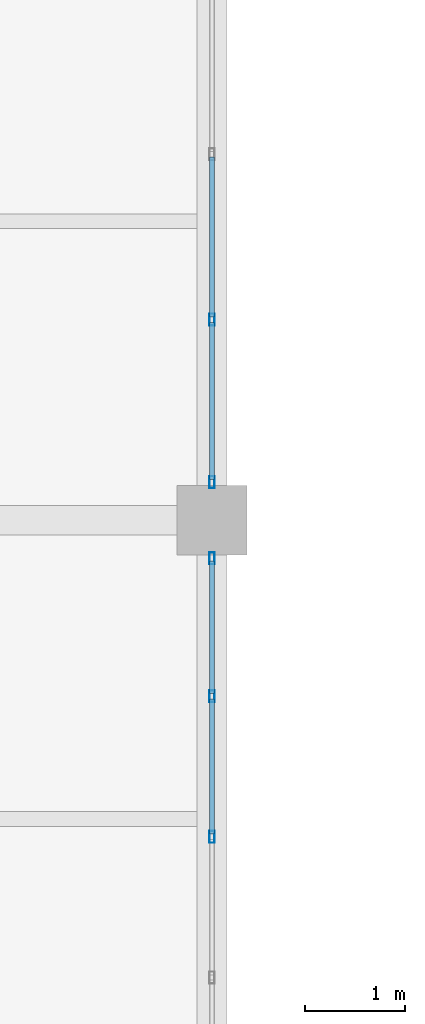
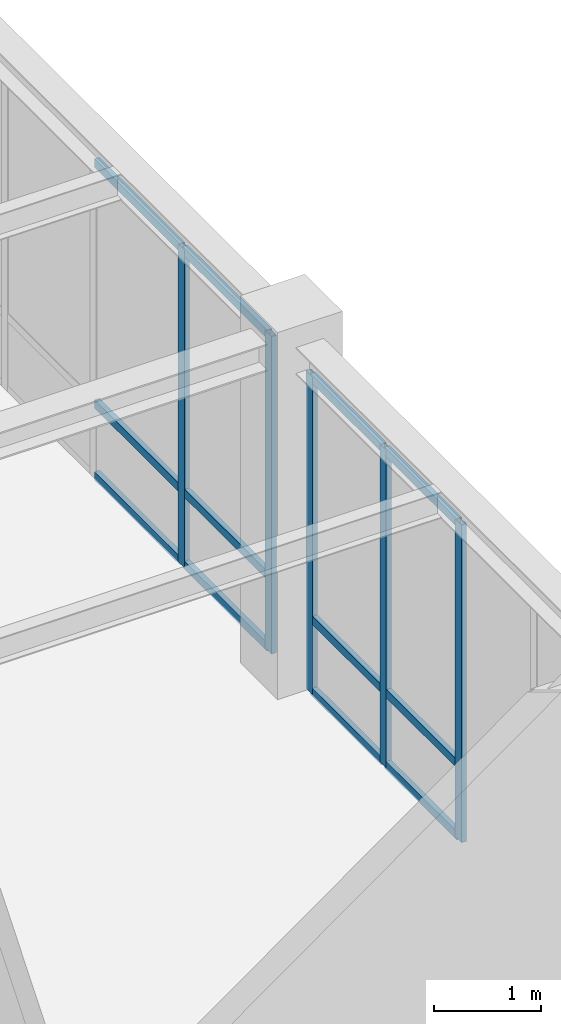
# One storey, part 30 of 108: 17 members, 2 elements without a shape of their own.
"""IFC4 building model written with IfcOpenShell, lengths in metres."""

from ifc_helpers import new_model, si_unit, direction, frame, origin, origin_2d, place, context, subcontext, project, spatial, hollow_rectangle, extrude, material, material_profile, profile_set, type_object, element, aggregate, save


model = new_model("IFC4")

# Units and contexts
model_context = context("Model", 3, precision=1e-05, world=origin(), true_north=direction((0.0, 1.0)))
body_context = subcontext(model_context, "Body", "Model", "MODEL_VIEW")
ifc_project = project(units=[si_unit("LENGTHUNIT", "METRE"), si_unit("AREAUNIT", "SQUARE_METRE"), si_unit("VOLUMEUNIT", "CUBIC_METRE"), si_unit("PLANEANGLEUNIT", "RADIAN"), si_unit("MASSUNIT", "GRAM", prefix="KILO")], contexts=[model_context])

# Site, building, storey
site_placement = place(None, origin())
site = spatial("IfcSite", under=ifc_project, at=site_placement, CompositionType="ELEMENT")
building_placement = place(site_placement, origin())
building = spatial("IfcBuilding", under=site, at=building_placement, Name="Lykobir Media Centre", CompositionType="ELEMENT")
storey_placement = place(building_placement, frame((0.0, 0.0, 15.0)))
storey = spatial("IfcBuildingStorey", under=building, at=storey_placement, Name="L03", CompositionType="ELEMENT", Elevation=15.0)

# Curtain wall, members
ifc_material = material(Name="Anodized Aluminium AW-6060", Category="aluminium")
curtain_wall_type = type_object("IfcCurtainWallType", Name="CW-COURT-B", PredefinedType="NOTDEFINED", material=ifc_material)
curtain_wall_1_placement = place(storey_placement, origin())
curtain_wall_1 = element("IfcCurtainWall", 1, at=curtain_wall_1_placement, inside=storey, type_object=curtain_wall_type, Name="Curtain wall CW2-L03-0115", PredefinedType="NOTDEFINED")
ifc_material_profile_1 = material_profile(ifc_material, hollow_rectangle(XDim=0.054931640625, YDim=0.1201171875, WallThickness=0.003173828125, at=origin_2d()), Name="ALU MULLION 55x120")
ifc_profile_set_1 = profile_set([ifc_material_profile_1], Name="Anodized Aluminium AW-6060")
member_type_1 = type_object("IfcMemberType", Name="CWM-120", PredefinedType="MULLION", material=ifc_profile_set_1)
member_1_placement = place(storey_placement, frame((36.0, 26.617431640625, 0.0), z_axis=(0.0, 0.0, 1.0), x_axis=(1.0, 0.0, 0.0)))
member_1 = element("IfcMember", 2, at=member_1_placement, type_object=member_type_1, Name="CW2-L03-0115 mullion 1", PredefinedType="MULLION", context=body_context, shape_type="SweptSolid", body=[
    extrude(hollow_rectangle(XDim=0.054931640625, YDim=0.1201171875, WallThickness=0.003173828125, at=origin_2d()), origin(), (0.0, 0.0, 1.0), 3.635009765625),
])
member_2_placement = place(storey_placement, frame((36.0, 25.23388671875, 0.0), z_axis=(0.0, 0.0, 1.0), x_axis=(1.0, 0.0, 0.0)))
member_2 = element("IfcMember", 3, at=member_2_placement, type_object=member_type_1, Name="CW2-L03-0115 mullion 2", PredefinedType="MULLION", context=body_context, shape_type="SweptSolid", body=[
    extrude(hollow_rectangle(XDim=0.054931640625, YDim=0.1201171875, WallThickness=0.003173828125, at=origin_2d()), origin(), (0.0, 0.0, 1.0), 3.635009765625),
])
member_3_placement = place(storey_placement, frame((36.0, 23.822509765625, 0.0), z_axis=(0.0, 0.0, 1.0), x_axis=(1.0, 0.0, 0.0)))
member_3 = element("IfcMember", 4, at=member_3_placement, type_object=member_type_1, Name="CW2-L03-0115 mullion 3", PredefinedType="MULLION", context=body_context, shape_type="SweptSolid", body=[
    extrude(hollow_rectangle(XDim=0.054931640625, YDim=0.1201171875, WallThickness=0.003173828125, at=origin_2d()), origin(), (0.0, 0.0, 1.0), 3.635009765625),
])

curtain_wall_2_placement = place(storey_placement, origin())
curtain_wall_2 = element("IfcCurtainWall", 5, at=curtain_wall_2_placement, inside=storey, type_object=curtain_wall_type, Name="Curtain wall CW2-L03-0116", PredefinedType="NOTDEFINED")
member_4_placement = place(storey_placement, frame((36.0, 29.012939453125, 0.0), z_axis=(0.0, 0.0, 1.0), x_axis=(1.0, 0.0, 0.0)))
member_4 = element("IfcMember", 6, at=member_4_placement, type_object=member_type_1, Name="CW2-L03-0116 mullion 5", PredefinedType="MULLION", context=body_context, shape_type="SweptSolid", body=[
    extrude(hollow_rectangle(XDim=0.054931640625, YDim=0.1201171875, WallThickness=0.003173828125, at=origin_2d()), origin(), (0.0, 0.0, 1.0), 3.635009765625),
])
member_5_placement = place(storey_placement, frame((36.0, 27.382568359375, 0.0), z_axis=(0.0, 0.0, 1.0), x_axis=(1.0, 0.0, 0.0)))
member_5 = element("IfcMember", 7, at=member_5_placement, type_object=member_type_1, Name="CW2-L03-0116 mullion 6", PredefinedType="MULLION", context=body_context, shape_type="SweptSolid", body=[
    extrude(hollow_rectangle(XDim=0.054931640625, YDim=0.1201171875, WallThickness=0.003173828125, at=origin_2d()), origin(), (0.0, 0.0, 1.0), 3.635009765625),
])

# Member
ifc_material_profile_2 = material_profile(ifc_material, hollow_rectangle(XDim=0.054931640625, YDim=0.094970703125, WallThickness=0.0029296875, at=origin_2d()), Name="ALU TRANSOM 55x95")
ifc_profile_set_2 = profile_set([ifc_material_profile_2], Name="Anodized Aluminium AW-6060")
member_type_2 = type_object("IfcMemberType", Name="CWT-095", PredefinedType="USERDEFINED", material=ifc_profile_set_2)
member_6_placement = place(storey_placement, frame((36.0, 26.590087890625, 0.027587890625), z_axis=(0.0, -1.0, 0.0), x_axis=(1.0, 0.0, 0.0)))
member_6 = element("IfcMember", 8, at=member_6_placement, type_object=member_type_2, Name="CW2-L03-0115 transom 1.1", ObjectType="TRANSOM", PredefinedType="USERDEFINED", context=body_context, shape_type="SweptSolid", body=[
    extrude(hollow_rectangle(XDim=0.054931640625, YDim=0.094970703125, WallThickness=0.0029296875, at=origin_2d()), origin(), (0.0, 0.0, 1.0), 1.328857421875),
])

member_7_placement = place(storey_placement, frame((36.0, 26.590087890625, 0.85009765625), z_axis=(0.0, -1.0, 0.0), x_axis=(1.0, 0.0, 0.0)))
member_7 = element("IfcMember", 9, at=member_7_placement, type_object=member_type_2, Name="CW2-L03-0115 transom 1.2", ObjectType="TRANSOM", PredefinedType="USERDEFINED", context=body_context, shape_type="SweptSolid", body=[
    extrude(hollow_rectangle(XDim=0.054931640625, YDim=0.094970703125, WallThickness=0.0029296875, at=origin_2d()), origin(), (0.0, 0.0, 1.0), 1.328857421875),
])

member_8_placement = place(storey_placement, frame((36.0, 26.590087890625, 3.607421875), z_axis=(0.0, -1.0, 0.0), x_axis=(1.0, 0.0, 0.0)))
member_8 = element("IfcMember", 10, at=member_8_placement, type_object=member_type_2, Name="CW2-L03-0115 transom 1.3", ObjectType="TRANSOM", PredefinedType="USERDEFINED", context=body_context, shape_type="SweptSolid", body=[
    extrude(hollow_rectangle(XDim=0.054931640625, YDim=0.094970703125, WallThickness=0.0029296875, at=origin_2d()), origin(), (0.0, 0.0, 1.0), 1.328857421875),
])

member_9_placement = place(storey_placement, frame((36.0, 25.206298828125, 0.027587890625), z_axis=(0.0, -1.0, 0.0), x_axis=(1.0, 0.0, 0.0)))
member_9 = element("IfcMember", 11, at=member_9_placement, type_object=member_type_2, Name="CW2-L03-0115 transom 2.1", ObjectType="TRANSOM", PredefinedType="USERDEFINED", context=body_context, shape_type="SweptSolid", body=[
    extrude(hollow_rectangle(XDim=0.054931640625, YDim=0.094970703125, WallThickness=0.0029296875, at=origin_2d()), origin(), (0.0, 0.0, 1.0), 1.356201171875),
])

member_10_placement = place(storey_placement, frame((36.0, 25.206298828125, 0.85009765625), z_axis=(0.0, -1.0, 0.0), x_axis=(1.0, 0.0, 0.0)))
member_10 = element("IfcMember", 12, at=member_10_placement, type_object=member_type_2, Name="CW2-L03-0115 transom 2.2", ObjectType="TRANSOM", PredefinedType="USERDEFINED", context=body_context, shape_type="SweptSolid", body=[
    extrude(hollow_rectangle(XDim=0.054931640625, YDim=0.094970703125, WallThickness=0.0029296875, at=origin_2d()), origin(), (0.0, 0.0, 1.0), 1.356201171875),
])

member_11_placement = place(storey_placement, frame((36.0, 25.206298828125, 3.607421875), z_axis=(0.0, -1.0, 0.0), x_axis=(1.0, 0.0, 0.0)))
member_11 = element("IfcMember", 13, at=member_11_placement, type_object=member_type_2, Name="CW2-L03-0115 transom 2.3", ObjectType="TRANSOM", PredefinedType="USERDEFINED", context=body_context, shape_type="SweptSolid", body=[
    extrude(hollow_rectangle(XDim=0.054931640625, YDim=0.094970703125, WallThickness=0.0029296875, at=origin_2d()), origin(), (0.0, 0.0, 1.0), 1.356201171875),
])

aggregate(curtain_wall_1, [member_1, member_2, member_3, member_6, member_7, member_8, member_9, member_10, member_11])

member_12_placement = place(storey_placement, frame((36.0, 30.6435546875, 0.027587890625), z_axis=(0.0, -1.0, 0.0), x_axis=(1.0, 0.0, 0.0)))
member_12 = element("IfcMember", 14, at=member_12_placement, type_object=member_type_2, Name="CW2-L03-0116 transom 4.1", ObjectType="TRANSOM", PredefinedType="USERDEFINED", context=body_context, shape_type="SweptSolid", body=[
    extrude(hollow_rectangle(XDim=0.054931640625, YDim=0.094970703125, WallThickness=0.0029296875, at=origin_2d()), origin(), (0.0, 0.0, 1.0), 1.60302734375),
])

member_13_placement = place(storey_placement, frame((36.0, 30.6435546875, 0.85009765625), z_axis=(0.0, -1.0, 0.0), x_axis=(1.0, 0.0, 0.0)))
member_13 = element("IfcMember", 15, at=member_13_placement, type_object=member_type_2, Name="CW2-L03-0116 transom 4.2", ObjectType="TRANSOM", PredefinedType="USERDEFINED", context=body_context, shape_type="SweptSolid", body=[
    extrude(hollow_rectangle(XDim=0.054931640625, YDim=0.094970703125, WallThickness=0.0029296875, at=origin_2d()), origin(), (0.0, 0.0, 1.0), 1.60302734375),
])

member_14_placement = place(storey_placement, frame((36.0, 30.6435546875, 3.607421875), z_axis=(0.0, -1.0, 0.0), x_axis=(1.0, 0.0, 0.0)))
member_14 = element("IfcMember", 16, at=member_14_placement, type_object=member_type_2, Name="CW2-L03-0116 transom 4.3", ObjectType="TRANSOM", PredefinedType="USERDEFINED", context=body_context, shape_type="SweptSolid", body=[
    extrude(hollow_rectangle(XDim=0.054931640625, YDim=0.094970703125, WallThickness=0.0029296875, at=origin_2d()), origin(), (0.0, 0.0, 1.0), 1.60302734375),
])

member_15_placement = place(storey_placement, frame((36.0, 28.985595703125, 0.027587890625), z_axis=(0.0, -1.0, 0.0), x_axis=(1.0, 0.0, 0.0)))
member_15 = element("IfcMember", 17, at=member_15_placement, type_object=member_type_2, Name="CW2-L03-0116 transom 5.1", ObjectType="TRANSOM", PredefinedType="USERDEFINED", context=body_context, shape_type="SweptSolid", body=[
    extrude(hollow_rectangle(XDim=0.054931640625, YDim=0.094970703125, WallThickness=0.0029296875, at=origin_2d()), origin(), (0.0, 0.0, 1.0), 1.57568359375),
])

member_16_placement = place(storey_placement, frame((36.0, 28.985595703125, 0.85009765625), z_axis=(0.0, -1.0, 0.0), x_axis=(1.0, 0.0, 0.0)))
member_16 = element("IfcMember", 18, at=member_16_placement, type_object=member_type_2, Name="CW2-L03-0116 transom 5.2", ObjectType="TRANSOM", PredefinedType="USERDEFINED", context=body_context, shape_type="SweptSolid", body=[
    extrude(hollow_rectangle(XDim=0.054931640625, YDim=0.094970703125, WallThickness=0.0029296875, at=origin_2d()), origin(), (0.0, 0.0, 1.0), 1.57568359375),
])

member_17_placement = place(storey_placement, frame((36.0, 28.985595703125, 3.607421875), z_axis=(0.0, -1.0, 0.0), x_axis=(1.0, 0.0, 0.0)))
member_17 = element("IfcMember", 19, at=member_17_placement, type_object=member_type_2, Name="CW2-L03-0116 transom 5.3", ObjectType="TRANSOM", PredefinedType="USERDEFINED", context=body_context, shape_type="SweptSolid", body=[
    extrude(hollow_rectangle(XDim=0.054931640625, YDim=0.094970703125, WallThickness=0.0029296875, at=origin_2d()), origin(), (0.0, 0.0, 1.0), 1.57568359375),
])

aggregate(curtain_wall_2, [member_4, member_5, member_12, member_13, member_14, member_15, member_16, member_17])

save(model, "model.ifc")
